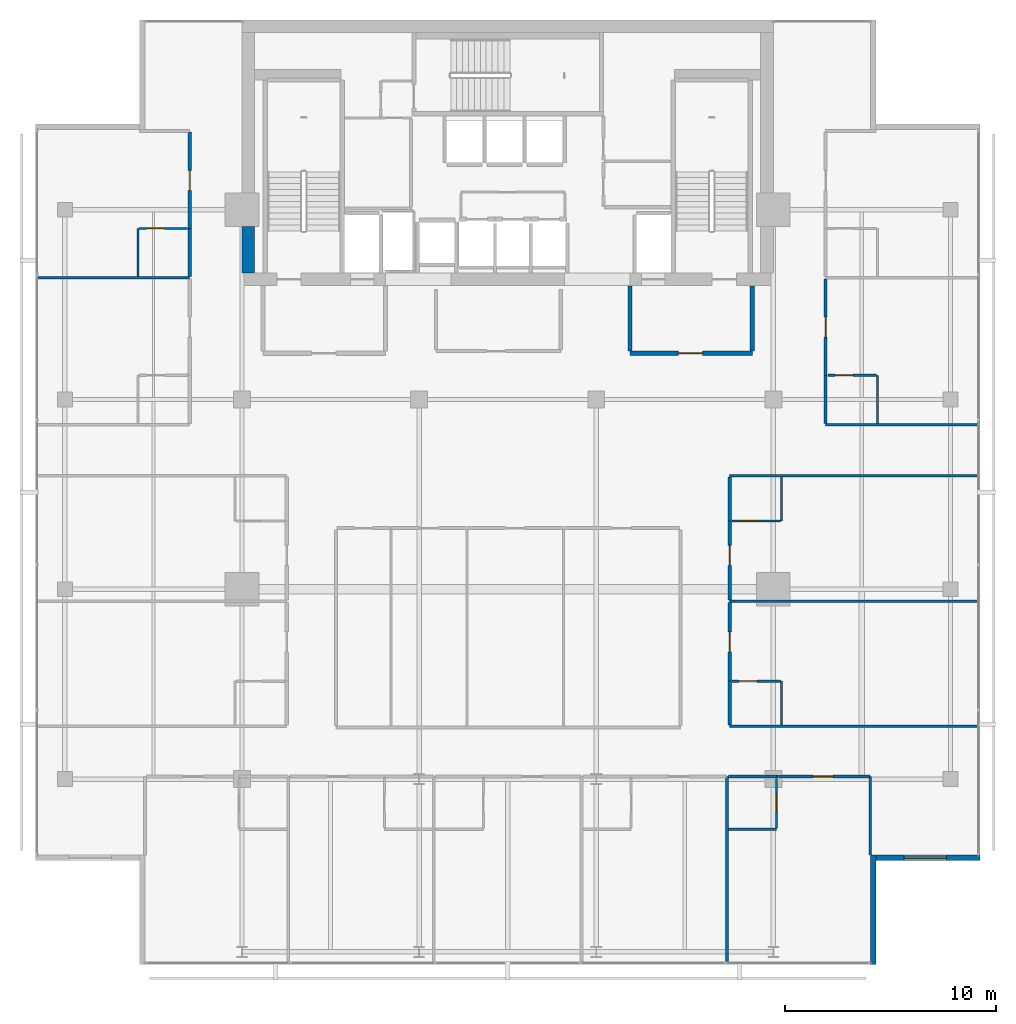
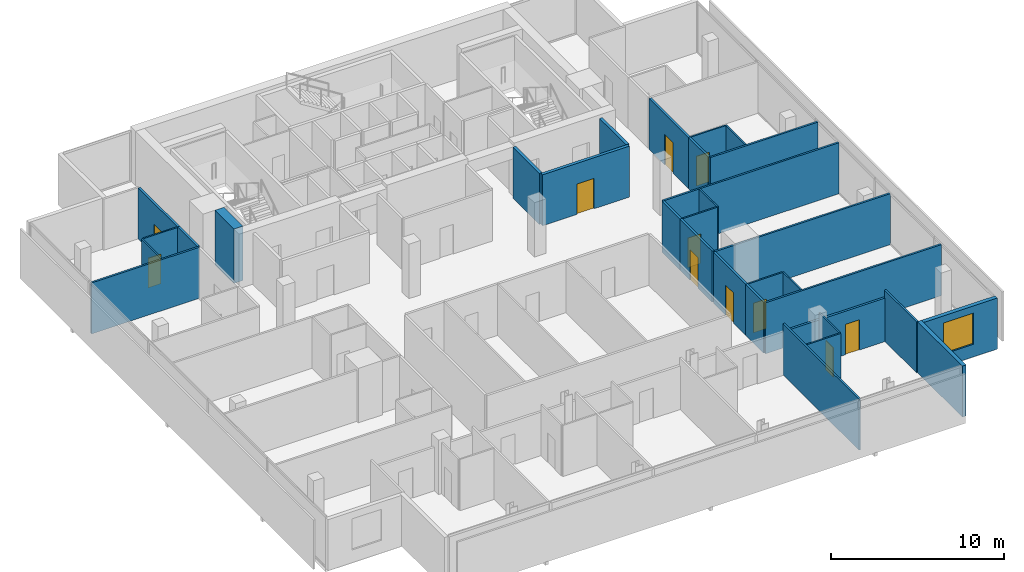
# One storey, part 21 of 25: 33 walls, 11 doors, 1 window, 12 openings.
"""IFC4 building model written with IfcOpenShell, lengths in metres."""

from ifc_helpers import new_model, si_unit, direction, frame, frame_2d, origin, place, context, subcontext, project, spatial, rectangle, extrude, material, layer, layer_set, type_object, element, fill, save


model = new_model("IFC4")

# Units and contexts
model_context = context("Model", 3, precision=1e-05, world=origin(), true_north=direction((0.0, 1.0)))
body_context = subcontext(model_context, "Body", "Model", "MODEL_VIEW")
ifc_project = project(units=[si_unit("LENGTHUNIT", "METRE"), si_unit("AREAUNIT", "SQUARE_METRE"), si_unit("VOLUMEUNIT", "CUBIC_METRE"), si_unit("PLANEANGLEUNIT", "RADIAN"), si_unit("MASSUNIT", "GRAM", prefix="KILO")], contexts=[model_context])

# Site, building, storey
site_placement = place(None, origin())
site = spatial("IfcSite", under=ifc_project, at=site_placement, CompositionType="ELEMENT")
building_placement = place(site_placement, origin())
building = spatial("IfcBuilding", under=site, at=building_placement, Name="Maruvema Waterfront Hotel and Observation Tower", CompositionType="ELEMENT")
storey_placement = place(building_placement, frame((0.0, 0.0, 270.199951171875)))
storey = spatial("IfcBuildingStorey", under=building, at=storey_placement, Name="L66", CompositionType="ELEMENT", Elevation=270.199951171875)

# Wall
ifc_material_1 = material(Name="Twin-stud acoustic gypsum drywall", Category="gypsum")
ifc_layer_1 = layer(ifc_material_1, 0.14990234375, Name="Acoustic Corridor and Suite Demising Wall 150 mm")
ifc_layer_set_1 = layer_set([ifc_layer_1], Name="Twin-stud acoustic gypsum drywall")
wall_type_1 = type_object("IfcWallType", Name="Acoustic Corridor and Suite Demising Wall 150 mm", PredefinedType="PARTITIONING", material=ifc_layer_set_1)
wall_1_placement = place(storey_placement, frame((48.280029296875, 18.1201171875, 0.0), z_axis=(0.0, 0.0, 1.0), x_axis=(1.0, 0.0, 0.0)))
element("IfcWall", 1, at=wall_1_placement, inside=storey, type_object=wall_type_1, Name="L66 Bath L66-S5 Back Wall 057", PredefinedType="PARTITIONING", context=body_context, shape_type="SweptSolid", body=[
    extrude(rectangle(XDim=2.27001953125, YDim=0.14990234375, at=frame_2d((1.135009765625, 0.0))), origin(), (0.0, 0.0, 1.0), 3.0771484375),
])

# Wall, opening, door
wall_2_placement = place(storey_placement, frame((50.550048828125, 18.1201171875, 0.0), z_axis=(0.0, 0.0, 1.0), x_axis=(1.0, 0.0, 0.0)))
wall_2 = element("IfcWall", 2, at=wall_2_placement, inside=storey, type_object=wall_type_1, Name="L66 Unit L66-S5 Corridor Wall 060", PredefinedType="PARTITIONING", context=body_context, shape_type="SweptSolid", body=[
    extrude(rectangle(XDim=4.429931640625, YDim=0.14990234375, at=frame_2d((2.21484375, 0.0))), origin(), (0.0, 0.0, 1.0), 3.0771484375),
])
opening_1_placement = place(wall_2_placement, frame((1.739990234375, 0.0, 0.0)))
opening_1 = element("IfcOpeningElement", 3, at=opening_1_placement, cuts=wall_2, Name="Opening DR-095", PredefinedType="OPENING", context=body_context, shape_type="SweptSolid", body=[
    extrude(rectangle(XDim=0.949951171875, YDim=2.14990234375, at=frame_2d((0.47509765625, 1.074951171875))), frame((0.0, 0.0849609375, 0.0), z_axis=(0.0, -1.0, 0.0), x_axis=(1.0, 0.0, 0.0)), (0.0, 0.0, 1.0), 0.169921875),
])
ifc_material_2 = material(Name="Acoustic solid-core hardwood timber leaf", Category="wood")
door_type_1 = type_object("IfcDoorType", Name="Guestroom Entrance Fire Door 950x2150 mm", OperationType="NOTDEFINED", PredefinedType="DOOR", material=ifc_material_2)
door_1_placement = place(opening_1_placement, frame((0.949951171875, 0.0, 0.0), z_axis=(0.0, 0.0, 1.0), x_axis=(-1.0, 0.0, 0.0)))
door_1 = element("IfcDoor", 4, at=door_1_placement, inside=storey, type_object=door_type_1, Name="L66 Unit L66-S5 Entrance Door", OperationType="SINGLE_SWING_LEFT", OverallHeight=2.14990234375, OverallWidth=0.949951171875, PredefinedType="DOOR", context=body_context, shape_type="SweptSolid", body=[
    extrude(rectangle(XDim=0.949951171875, YDim=2.14990234375, at=frame_2d((0.47509765625, 1.074951171875))), frame((0.0, 0.02490234375, 0.0), z_axis=(0.0, -1.0, 0.0), x_axis=(1.0, 0.0, 0.0)), (0.0, 0.0, 1.0), 0.050048828125),
])
fill(opening_1, door_1)

# Wall
wall_3_placement = place(storey_placement, frame((48.330078125, 20.56005859375, 0.0), z_axis=(0.0, 0.0, 1.0), x_axis=(0.0, 1.0, 0.0)))
element("IfcWall", 5, at=wall_3_placement, inside=storey, type_object=wall_type_1, Name="L66 Bath L66-E1 Wall 069", PredefinedType="PARTITIONING", context=body_context, shape_type="SweptSolid", body=[
    extrude(rectangle(XDim=2.079833984375, YDim=0.14990234375, at=frame_2d((1.0400390625, 0.0))), origin(), (0.0, 0.0, 1.0), 3.610107421875),
])

# Wall, opening, door
wall_4_placement = place(storey_placement, frame((48.330078125, 22.639892578125, 0.0), z_axis=(0.0, 0.0, 1.0), x_axis=(0.0, 1.0, 0.0)))
wall_4 = element("IfcWall", 6, at=wall_4_placement, inside=storey, type_object=wall_type_1, Name="L66 Room L66-E1 Corridor Wall 070", PredefinedType="PARTITIONING", context=body_context, shape_type="SweptSolid", body=[
    extrude(rectangle(XDim=3.739990234375, YDim=0.14990234375, at=frame_2d((1.8701171875, 0.0))), origin(), (0.0, 0.0, 1.0), 3.610107421875),
])
opening_2_placement = place(wall_4_placement, frame((1.39501953125, 0.0, 0.0)))
opening_2 = element("IfcOpeningElement", 7, at=opening_2_placement, cuts=wall_4, Name="Opening DR-095", PredefinedType="OPENING", context=body_context, shape_type="SweptSolid", body=[
    extrude(rectangle(XDim=0.949951171875, YDim=2.14990234375, at=frame_2d((0.47509765625, 1.074951171875))), frame((0.0, 0.0849609375, 0.0), z_axis=(0.0, -1.0, 0.0), x_axis=(1.0, 0.0, 0.0)), (0.0, 0.0, 1.0), 0.169921875),
])
door_2_placement = place(opening_2_placement, frame((0.949951171875, 0.0, 0.0), z_axis=(0.0, 0.0, 1.0), x_axis=(-1.0, 0.0, 0.0)))
door_2 = element("IfcDoor", 8, at=door_2_placement, inside=storey, type_object=door_type_1, Name="L66 Room L66-E1 Entrance Door", OperationType="SINGLE_SWING_LEFT", OverallHeight=2.14990234375, OverallWidth=0.949951171875, PredefinedType="DOOR", context=body_context, shape_type="SweptSolid", body=[
    extrude(rectangle(XDim=0.949951171875, YDim=2.14990234375, at=frame_2d((0.47509765625, 1.074951171875))), frame((0.0, 0.02490234375, 0.0), z_axis=(0.0, -1.0, 0.0), x_axis=(1.0, 0.0, 0.0)), (0.0, 0.0, 1.0), 0.050048828125),
])
fill(opening_2, door_2)

wall_5_placement = place(storey_placement, frame((48.330078125, 26.5, 0.0), z_axis=(0.0, 0.0, 1.0), x_axis=(0.0, 1.0, 0.0)))
wall_5 = element("IfcWall", 9, at=wall_5_placement, inside=storey, type_object=wall_type_1, Name="L66 Room L66-E2 Corridor Wall 079", PredefinedType="PARTITIONING", context=body_context, shape_type="SweptSolid", body=[
    extrude(rectangle(XDim=3.739990234375, YDim=0.14990234375, at=frame_2d((1.8701171875, 0.0))), origin(), (0.0, 0.0, 1.0), 3.610107421875),
])
opening_3_placement = place(wall_5_placement, frame((1.635009765625, 0.0, 0.0)))
opening_3 = element("IfcOpeningElement", 10, at=opening_3_placement, cuts=wall_5, Name="Opening DR-095", PredefinedType="OPENING", context=body_context, shape_type="SweptSolid", body=[
    extrude(rectangle(XDim=0.949951171875, YDim=2.14990234375, at=frame_2d((0.47509765625, 1.074951171875))), frame((0.0, 0.0849609375, 0.0), z_axis=(0.0, -1.0, 0.0), x_axis=(1.0, 0.0, 0.0)), (0.0, 0.0, 1.0), 0.169921875),
])
door_3_placement = place(opening_3_placement, frame((0.949951171875, 0.0, 0.0), z_axis=(0.0, 0.0, 1.0), x_axis=(-1.0, 0.0, 0.0)))
door_3 = element("IfcDoor", 11, at=door_3_placement, inside=storey, type_object=door_type_1, Name="L66 Room L66-E2 Entrance Door", OperationType="SINGLE_SWING_LEFT", OverallHeight=2.14990234375, OverallWidth=0.949951171875, PredefinedType="DOOR", context=body_context, shape_type="SweptSolid", body=[
    extrude(rectangle(XDim=0.949951171875, YDim=2.14990234375, at=frame_2d((0.47509765625, 1.074951171875))), frame((0.0, 0.02490234375, 0.0), z_axis=(0.0, -1.0, 0.0), x_axis=(1.0, 0.0, 0.0)), (0.0, 0.0, 1.0), 0.050048828125),
])
fill(opening_3, door_3)

# Walls
wall_6_placement = place(storey_placement, frame((48.330078125, 30.239990234375, 0.0), z_axis=(0.0, 0.0, 1.0), x_axis=(0.0, 1.0, 0.0)))
element("IfcWall", 12, at=wall_6_placement, inside=storey, type_object=wall_type_1, Name="L66 Bath L66-E2 Wall 080", PredefinedType="PARTITIONING", context=body_context, shape_type="SweptSolid", body=[
    extrude(rectangle(XDim=2.080078125, YDim=0.14990234375, at=frame_2d((1.0400390625, 0.0))), origin(), (0.0, 0.0, 1.0), 3.610107421875),
])
wall_7_placement = place(storey_placement, frame((52.8798828125, 34.860107421875, 0.0), z_axis=(0.0, 0.0, 1.0), x_axis=(0.0, 1.0, 0.0)))
element("IfcWall", 13, at=wall_7_placement, inside=storey, type_object=wall_type_1, Name="L66 Bath L66-NE1 Wall 091", PredefinedType="PARTITIONING", context=body_context, shape_type="SweptSolid", body=[
    extrude(rectangle(XDim=2.289794921875, YDim=0.14990234375, at=frame_2d((1.14501953125, 0.0))), origin(), (0.0, 0.0, 1.0), 3.610107421875),
])

# Wall, opening, door
wall_8_placement = place(storey_placement, frame((52.8798828125, 37.14990234375, 0.0), z_axis=(0.0, 0.0, 1.0), x_axis=(0.0, 1.0, 0.0)))
wall_8 = element("IfcWall", 14, at=wall_8_placement, inside=storey, type_object=wall_type_1, Name="L66 Room L66-NE1 Corridor Wall 092", PredefinedType="PARTITIONING", context=body_context, shape_type="SweptSolid", body=[
    extrude(rectangle(XDim=4.558837890625, YDim=0.14990234375, at=frame_2d((2.279296875, 0.0))), origin(), (0.0, 0.0, 1.0), 3.610107421875),
])
opening_4_placement = place(wall_8_placement, frame((1.804443359375, 0.0, 0.0)))
opening_4 = element("IfcOpeningElement", 15, at=opening_4_placement, cuts=wall_8, Name="Opening DR-095", PredefinedType="OPENING", context=body_context, shape_type="SweptSolid", body=[
    extrude(rectangle(XDim=0.949951171875, YDim=2.14990234375, at=frame_2d((0.47509765625, 1.074951171875))), frame((0.0, 0.0849609375, 0.0), z_axis=(0.0, -1.0, 0.0), x_axis=(1.0, 0.0, 0.0)), (0.0, 0.0, 1.0), 0.169921875),
])
door_4_placement = place(opening_4_placement, frame((0.949951171875, 0.0, 0.0), z_axis=(0.0, 0.0, 1.0), x_axis=(-1.0, 0.0, 0.0)))
door_4 = element("IfcDoor", 16, at=door_4_placement, inside=storey, type_object=door_type_1, Name="L66 Room L66-NE1 Entrance Door", OperationType="SINGLE_SWING_LEFT", OverallHeight=2.14990234375, OverallWidth=0.949951171875, PredefinedType="DOOR", context=body_context, shape_type="SweptSolid", body=[
    extrude(rectangle(XDim=0.949951171875, YDim=2.14990234375, at=frame_2d((0.47509765625, 1.074951171875))), frame((0.0, 0.02490234375, 0.0), z_axis=(0.0, -1.0, 0.0), x_axis=(1.0, 0.0, 0.0)), (0.0, 0.0, 1.0), 0.050048828125),
])
fill(opening_4, door_4)

# Wall
wall_9_placement = place(storey_placement, frame((22.719970703125, 41.82861328125, 0.0), z_axis=(0.0, 0.0, 1.0), x_axis=(0.0, 1.0, 0.0)))
element("IfcWall", 17, at=wall_9_placement, inside=storey, type_object=wall_type_1, Name="L66 Bath L66-NW2 Wall 097", PredefinedType="PARTITIONING", context=body_context, shape_type="SweptSolid", body=[
    extrude(rectangle(XDim=2.2900390625, YDim=0.14990234375, at=frame_2d((1.14501953125, 0.0))), origin(), (0.0, 0.0, 1.0), 3.610107421875),
])

# Wall, opening, door
wall_10_placement = place(storey_placement, frame((22.719970703125, 44.11865234375, 0.0), z_axis=(0.0, 0.0, 1.0), x_axis=(0.0, 1.0, 0.0)))
wall_10 = element("IfcWall", 18, at=wall_10_placement, inside=storey, type_object=wall_type_1, Name="L66 Room L66-NW2 Corridor Wall 098", PredefinedType="PARTITIONING", context=body_context, shape_type="SweptSolid", body=[
    extrude(rectangle(XDim=4.558837890625, YDim=0.14990234375, at=frame_2d((2.279296875, 0.0))), origin(), (0.0, 0.0, 1.0), 3.610107421875),
])
opening_5_placement = place(wall_10_placement, frame((1.804443359375, 0.0, 0.0)))
opening_5 = element("IfcOpeningElement", 19, at=opening_5_placement, cuts=wall_10, Name="Opening DR-095", PredefinedType="OPENING", context=body_context, shape_type="SweptSolid", body=[
    extrude(rectangle(XDim=0.949951171875, YDim=2.14990234375, at=frame_2d((0.47509765625, 1.074951171875))), frame((0.0, 0.0849609375, 0.0), z_axis=(0.0, -1.0, 0.0), x_axis=(1.0, 0.0, 0.0)), (0.0, 0.0, 1.0), 0.169921875),
])
door_5_placement = place(opening_5_placement, origin())
door_5 = element("IfcDoor", 20, at=door_5_placement, inside=storey, type_object=door_type_1, Name="L66 Room L66-NW2 Entrance Door", OperationType="SINGLE_SWING_LEFT", OverallHeight=2.14990234375, OverallWidth=0.949951171875, PredefinedType="DOOR", context=body_context, shape_type="SweptSolid", body=[
    extrude(rectangle(XDim=0.949951171875, YDim=2.14990234375, at=frame_2d((0.47509765625, 1.074951171875))), frame((0.0, 0.02490234375, 0.0), z_axis=(0.0, -1.0, 0.0), x_axis=(1.0, 0.0, 0.0)), (0.0, 0.0, 1.0), 0.050048828125),
])
fill(opening_5, door_5)

# Walls
ifc_material_3 = material(Name="Concrete C60/75", Category="concrete")
ifc_layer_2 = layer(ifc_material_3, 0.60009765625, Name="Core Shear Wall 600 mm")
ifc_layer_set_2 = layer_set([ifc_layer_2], Name="Concrete C60/75")
wall_type_2 = type_object("IfcWallType", Name="Core Shear Wall 600 mm", PredefinedType="SHEAR", material=ifc_layer_set_2)
wall_11_placement = place(storey_placement, frame((25.5, 42.0, 0.0), z_axis=(0.0, 0.0, 1.0), x_axis=(0.0, 1.0, 0.0)))
element("IfcWall", 21, at=wall_11_placement, inside=storey, type_object=wall_type_2, Name="L66 West-South Core Shear Wall", PredefinedType="SHEAR", context=body_context, shape_type="SweptSolid", body=[
    extrude(rectangle(XDim=2.199951171875, YDim=0.60009765625, at=frame_2d((1.10009765625, 0.0))), origin(), (0.0, 0.0, 1.0), 3.85009765625),
])
ifc_material_4 = material(Name="Moisture-resistant cement-board drywall", Category="gypsum")
ifc_layer_3 = layer(ifc_material_4, 0.10009765625, Name="En-Suite Moisture-Resistant Partition 100 mm")
ifc_layer_set_3 = layer_set([ifc_layer_3], Name="Moisture-resistant cement-board drywall")
wall_type_3 = type_object("IfcWallType", Name="En-Suite Moisture-Resistant Partition 100 mm", PredefinedType="PARTITIONING", material=ifc_layer_set_3)
wall_12_placement = place(storey_placement, frame((48.280029296875, 15.6201171875, 0.0), z_axis=(0.0, 0.0, 1.0), x_axis=(1.0, 0.0, 0.0)))
element("IfcWall", 22, at=wall_12_placement, inside=storey, type_object=wall_type_3, Name="L66 En-Suite L66-S5 South 058", PredefinedType="PARTITIONING", context=body_context, shape_type="SweptSolid", body=[
    extrude(rectangle(XDim=2.27001953125, YDim=0.10009765625, at=frame_2d((1.135009765625, 0.0))), origin(), (0.0, 0.0, 1.0), 3.610107421875),
])

# Wall, opening, door
wall_13_placement = place(storey_placement, frame((50.550048828125, 15.679931640625, 0.0), z_axis=(0.0, 0.0, 1.0), x_axis=(0.0, 1.0, 0.0)))
wall_13 = element("IfcWall", 23, at=wall_13_placement, inside=storey, type_object=wall_type_3, Name="L66 En-Suite L66-S5 East 059", PredefinedType="PARTITIONING", context=body_context, shape_type="SweptSolid", body=[
    extrude(rectangle(XDim=2.340087890625, YDim=0.10009765625, at=frame_2d((1.169921875, 0.0))), origin(), (0.0, 0.0, 1.0), 3.610107421875),
])
opening_6_placement = place(wall_13_placement, frame((0.7451171875, 0.0, 0.0)))
opening_6 = element("IfcOpeningElement", 24, at=opening_6_placement, cuts=wall_13, Name="Opening DR-085", PredefinedType="OPENING", context=body_context, shape_type="SweptSolid", body=[
    extrude(rectangle(XDim=0.85009765625, YDim=2.10009765625, at=frame_2d((0.425048828125, 1.050048828125))), frame((0.0, 0.06005859375, 0.0), z_axis=(0.0, -1.0, 0.0), x_axis=(1.0, 0.0, 0.0)), (0.0, 0.0, 1.0), 0.1201171875),
])
ifc_material_5 = material(Name="Moisture-resistant solid timber leaf", Category="wood")
door_type_2 = type_object("IfcDoorType", Name="En-Suite Bathroom Door 850x2100 mm", OperationType="NOTDEFINED", PredefinedType="DOOR", material=ifc_material_5)
door_6_placement = place(opening_6_placement, frame((0.85009765625, 0.0, 0.0), z_axis=(0.0, 0.0, 1.0), x_axis=(-1.0, 0.0, 0.0)))
door_6 = element("IfcDoor", 25, at=door_6_placement, inside=storey, type_object=door_type_2, Name="L66 En-Suite L66-S5 Door", OperationType="SINGLE_SWING_RIGHT", OverallHeight=2.10009765625, OverallWidth=0.85009765625, PredefinedType="DOOR", context=body_context, shape_type="SweptSolid", body=[
    extrude(rectangle(XDim=0.85009765625, YDim=2.10009765625, at=frame_2d((0.425048828125, 1.050048828125))), frame((0.0, 0.02490234375, 0.0), z_axis=(0.0, -1.0, 0.0), x_axis=(1.0, 0.0, 0.0)), (0.0, 0.0, 1.0), 0.050048828125),
])
fill(opening_6, door_6)

# Wall
wall_14_placement = place(storey_placement, frame((50.780029296875, 20.56005859375, 0.0), z_axis=(0.0, 0.0, 1.0), x_axis=(0.0, 1.0, 0.0)))
element("IfcWall", 26, at=wall_14_placement, inside=storey, type_object=wall_type_3, Name="L66 En-Suite L66-E1 E 071", PredefinedType="PARTITIONING", context=body_context, shape_type="SweptSolid", body=[
    extrude(rectangle(XDim=2.079833984375, YDim=0.10009765625, at=frame_2d((1.0400390625, 0.0))), origin(), (0.0, 0.0, 1.0), 3.610107421875),
])

# Wall, opening, door
wall_15_placement = place(storey_placement, frame((48.429931640625, 22.639892578125, 0.0), z_axis=(0.0, 0.0, 1.0), x_axis=(1.0, 0.0, 0.0)))
wall_15 = element("IfcWall", 27, at=wall_15_placement, inside=storey, type_object=wall_type_3, Name="L66 En-Suite L66-E1 N 072", PredefinedType="PARTITIONING", context=body_context, shape_type="SweptSolid", body=[
    extrude(rectangle(XDim=2.300048828125, YDim=0.10009765625, at=frame_2d((1.14990234375, 0.0))), origin(), (0.0, 0.0, 1.0), 3.610107421875),
])
opening_7_placement = place(wall_15_placement, frame((0.35009765625, 0.0, 0.0)))
opening_7 = element("IfcOpeningElement", 28, at=opening_7_placement, cuts=wall_15, Name="Opening DR-085", PredefinedType="OPENING", context=body_context, shape_type="SweptSolid", body=[
    extrude(rectangle(XDim=0.85009765625, YDim=2.10009765625, at=frame_2d((0.425048828125, 1.050048828125))), frame((0.0, 0.06005859375, 0.0), z_axis=(0.0, -1.0, 0.0), x_axis=(1.0, 0.0, 0.0)), (0.0, 0.0, 1.0), 0.1201171875),
])
door_7_placement = place(opening_7_placement, origin())
door_7 = element("IfcDoor", 29, at=door_7_placement, inside=storey, type_object=door_type_2, Name="L66 En-Suite L66-E1 Door", OperationType="SINGLE_SWING_RIGHT", OverallHeight=2.10009765625, OverallWidth=0.85009765625, PredefinedType="DOOR", context=body_context, shape_type="SweptSolid", body=[
    extrude(rectangle(XDim=0.85009765625, YDim=2.10009765625, at=frame_2d((0.425048828125, 1.050048828125))), frame((0.0, 0.02490234375, 0.0), z_axis=(0.0, -1.0, 0.0), x_axis=(1.0, 0.0, 0.0)), (0.0, 0.0, 1.0), 0.050048828125),
])
fill(opening_7, door_7)

# Wall
wall_16_placement = place(storey_placement, frame((50.780029296875, 30.239990234375, 0.0), z_axis=(0.0, 0.0, 1.0), x_axis=(0.0, 1.0, 0.0)))
element("IfcWall", 30, at=wall_16_placement, inside=storey, type_object=wall_type_3, Name="L66 En-Suite L66-E2 E 081", PredefinedType="PARTITIONING", context=body_context, shape_type="SweptSolid", body=[
    extrude(rectangle(XDim=2.080078125, YDim=0.10009765625, at=frame_2d((1.0400390625, 0.0))), origin(), (0.0, 0.0, 1.0), 3.610107421875),
])

# Wall, opening, door
wall_17_placement = place(storey_placement, frame((48.429931640625, 30.239990234375, 0.0), z_axis=(0.0, 0.0, 1.0), x_axis=(1.0, 0.0, 0.0)))
wall_17 = element("IfcWall", 31, at=wall_17_placement, inside=storey, type_object=wall_type_3, Name="L66 En-Suite L66-E2 S 082", PredefinedType="PARTITIONING", context=body_context, shape_type="SweptSolid", body=[
    extrude(rectangle(XDim=2.300048828125, YDim=0.10009765625, at=frame_2d((1.14990234375, 0.0))), origin(), (0.0, 0.0, 1.0), 3.610107421875),
])
opening_8_placement = place(wall_17_placement, frame((0.35009765625, 0.0, 0.0)))
opening_8 = element("IfcOpeningElement", 32, at=opening_8_placement, cuts=wall_17, Name="Opening DR-085", PredefinedType="OPENING", context=body_context, shape_type="SweptSolid", body=[
    extrude(rectangle(XDim=0.85009765625, YDim=2.10009765625, at=frame_2d((0.425048828125, 1.050048828125))), frame((0.0, 0.06005859375, 0.0), z_axis=(0.0, -1.0, 0.0), x_axis=(1.0, 0.0, 0.0)), (0.0, 0.0, 1.0), 0.1201171875),
])
door_8_placement = place(opening_8_placement, frame((0.85009765625, 0.0, 0.0), z_axis=(0.0, 0.0, 1.0), x_axis=(-1.0, 0.0, 0.0)))
door_8 = element("IfcDoor", 33, at=door_8_placement, inside=storey, type_object=door_type_2, Name="L66 En-Suite L66-E2 Door", OperationType="SINGLE_SWING_RIGHT", OverallHeight=2.10009765625, OverallWidth=0.85009765625, PredefinedType="DOOR", context=body_context, shape_type="SweptSolid", body=[
    extrude(rectangle(XDim=0.85009765625, YDim=2.10009765625, at=frame_2d((0.425048828125, 1.050048828125))), frame((0.0, 0.02490234375, 0.0), z_axis=(0.0, -1.0, 0.0), x_axis=(1.0, 0.0, 0.0)), (0.0, 0.0, 1.0), 0.050048828125),
])
fill(opening_8, door_8)

# Wall
wall_18_placement = place(storey_placement, frame((55.330078125, 34.860107421875, 0.0), z_axis=(0.0, 0.0, 1.0), x_axis=(0.0, 1.0, 0.0)))
element("IfcWall", 34, at=wall_18_placement, inside=storey, type_object=wall_type_3, Name="L66 En-Suite L66-NE1 E 093", PredefinedType="PARTITIONING", context=body_context, shape_type="SweptSolid", body=[
    extrude(rectangle(XDim=2.289794921875, YDim=0.10009765625, at=frame_2d((1.14501953125, 0.0))), origin(), (0.0, 0.0, 1.0), 3.610107421875),
])

# Wall, opening, door
wall_19_placement = place(storey_placement, frame((52.97998046875, 37.14990234375, 0.0), z_axis=(0.0, 0.0, 1.0), x_axis=(1.0, 0.0, 0.0)))
wall_19 = element("IfcWall", 35, at=wall_19_placement, inside=storey, type_object=wall_type_3, Name="L66 En-Suite L66-NE1 N 094", PredefinedType="PARTITIONING", context=body_context, shape_type="SweptSolid", body=[
    extrude(rectangle(XDim=2.300048828125, YDim=0.10009765625, at=frame_2d((1.14990234375, 0.0))), origin(), (0.0, 0.0, 1.0), 3.610107421875),
])
opening_9_placement = place(wall_19_placement, frame((0.35009765625, 0.0, 0.0)))
opening_9 = element("IfcOpeningElement", 36, at=opening_9_placement, cuts=wall_19, Name="Opening DR-085", PredefinedType="OPENING", context=body_context, shape_type="SweptSolid", body=[
    extrude(rectangle(XDim=0.85009765625, YDim=2.10009765625, at=frame_2d((0.425048828125, 1.050048828125))), frame((0.0, 0.06005859375, 0.0), z_axis=(0.0, -1.0, 0.0), x_axis=(1.0, 0.0, 0.0)), (0.0, 0.0, 1.0), 0.1201171875),
])
door_9_placement = place(opening_9_placement, origin())
door_9 = element("IfcDoor", 37, at=door_9_placement, inside=storey, type_object=door_type_2, Name="L66 En-Suite L66-NE1 Door", OperationType="SINGLE_SWING_RIGHT", OverallHeight=2.10009765625, OverallWidth=0.85009765625, PredefinedType="DOOR", context=body_context, shape_type="SweptSolid", body=[
    extrude(rectangle(XDim=0.85009765625, YDim=2.10009765625, at=frame_2d((0.425048828125, 1.050048828125))), frame((0.0, 0.02490234375, 0.0), z_axis=(0.0, -1.0, 0.0), x_axis=(1.0, 0.0, 0.0)), (0.0, 0.0, 1.0), 0.050048828125),
])
fill(opening_9, door_9)

# Wall
wall_20_placement = place(storey_placement, frame((20.27001953125, 41.82861328125, 0.0), z_axis=(0.0, 0.0, 1.0), x_axis=(0.0, 1.0, 0.0)))
element("IfcWall", 38, at=wall_20_placement, inside=storey, type_object=wall_type_3, Name="L66 En-Suite L66-NW2 W 099", PredefinedType="PARTITIONING", context=body_context, shape_type="SweptSolid", body=[
    extrude(rectangle(XDim=2.2900390625, YDim=0.10009765625, at=frame_2d((1.14501953125, 0.0))), origin(), (0.0, 0.0, 1.0), 3.610107421875),
])

# Wall, opening, door
wall_21_placement = place(storey_placement, frame((20.320068359375, 44.11865234375, 0.0), z_axis=(0.0, 0.0, 1.0), x_axis=(1.0, 0.0, 0.0)))
wall_21 = element("IfcWall", 39, at=wall_21_placement, inside=storey, type_object=wall_type_3, Name="L66 En-Suite L66-NW2 N 100", PredefinedType="PARTITIONING", context=body_context, shape_type="SweptSolid", body=[
    extrude(rectangle(XDim=2.300048828125, YDim=0.10009765625, at=frame_2d((1.14990234375, 0.0))), origin(), (0.0, 0.0, 1.0), 3.610107421875),
])
opening_10_placement = place(wall_21_placement, frame((0.35009765625, 0.0, 0.0)))
opening_10 = element("IfcOpeningElement", 40, at=opening_10_placement, cuts=wall_21, Name="Opening DR-085", PredefinedType="OPENING", context=body_context, shape_type="SweptSolid", body=[
    extrude(rectangle(XDim=0.85009765625, YDim=2.10009765625, at=frame_2d((0.425048828125, 1.050048828125))), frame((0.0, 0.06005859375, 0.0), z_axis=(0.0, -1.0, 0.0), x_axis=(1.0, 0.0, 0.0)), (0.0, 0.0, 1.0), 0.1201171875),
])
door_10_placement = place(opening_10_placement, origin())
door_10 = element("IfcDoor", 41, at=door_10_placement, inside=storey, type_object=door_type_2, Name="L66 En-Suite L66-NW2 Door", OperationType="SINGLE_SWING_RIGHT", OverallHeight=2.10009765625, OverallWidth=0.85009765625, PredefinedType="DOOR", context=body_context, shape_type="SweptSolid", body=[
    extrude(rectangle(XDim=0.85009765625, YDim=2.10009765625, at=frame_2d((0.425048828125, 1.050048828125))), frame((0.0, 0.02490234375, 0.0), z_axis=(0.0, -1.0, 0.0), x_axis=(1.0, 0.0, 0.0)), (0.0, 0.0, 1.0), 0.050048828125),
])
fill(opening_10, door_10)

# Wall
ifc_material_6 = material(Name="Precast concrete C45/55 with honed Pernambuco granite facing", Category="masonry")
ifc_layer_4 = layer(ifc_material_6, 0.260009765625, Name="Exterior Granite Clad Spandrel and Pier Wall 260 mm")
ifc_layer_set_4 = layer_set([ifc_layer_4], Name="Precast concrete C45/55 with honed Pernambuco granite facing")
wall_type_4 = type_object("IfcWallType", Name="Exterior Granite Clad Spandrel and Pier Wall 260 mm", PredefinedType="SOLIDWALL", material=ifc_layer_set_4)
wall_22_placement = place(storey_placement, frame((55.1298828125, 14.39990234375, 0.0), z_axis=(0.0, 0.0, 1.0), x_axis=(0.0, -1.0, 0.0)))
element("IfcWall", 42, at=wall_22_placement, inside=storey, type_object=wall_type_4, Name="L66 Corner Notch Granite Pier Wall SE1", PredefinedType="SOLIDWALL", context=body_context, shape_type="SweptSolid", body=[
    extrude(rectangle(XDim=5.199951171875, YDim=0.260009765625, at=frame_2d((2.60009765625, 0.0))), origin(), (0.0, 0.0, 1.0), 3.610107421875),
])

# Wall, opening, window
wall_23_placement = place(storey_placement, frame((60.199951171875, 14.27001953125, 0.0), z_axis=(0.0, 0.0, 1.0), x_axis=(-1.0, 0.0, 0.0)))
wall_23 = element("IfcWall", 43, at=wall_23_placement, inside=storey, type_object=wall_type_4, Name="L66 Corner Notch Granite Pier Wall SE2", PredefinedType="SOLIDWALL", context=body_context, shape_type="SweptSolid", body=[
    extrude(rectangle(XDim=5.199951171875, YDim=0.260009765625, at=frame_2d((2.60009765625, 0.0))), origin(), (0.0, 0.0, 1.0), 3.610107421875),
])
opening_11_placement = place(wall_23_placement, frame((1.60009765625, 0.0, 0.89990234375)))
opening_11 = element("IfcOpeningElement", 44, at=opening_11_placement, cuts=wall_23, Name="Opening WN-03", PredefinedType="OPENING", context=body_context, shape_type="SweptSolid", body=[
    extrude(rectangle(XDim=2.0, YDim=2.199951171875, at=frame_2d((1.0, 1.10009765625))), frame((0.0, 0.14013671875, 0.0), z_axis=(0.0, -1.0, 0.0), x_axis=(1.0, 0.0, 0.0)), (0.0, 0.0, 1.0), 0.280029296875),
])
ifc_material_7 = material(Name="Anodised bronze aluminium frame with laminated low-E glass", Category="aluminium")
window_type = type_object("IfcWindowType", Name="Sky Suite Panoramic Notch Window 2000x2200 mm", PartitioningType="SINGLE_PANEL", PredefinedType="WINDOW", material=ifc_material_7)
window_placement = place(opening_11_placement, origin())
window = element("IfcWindow", 45, at=window_placement, inside=storey, type_object=window_type, Name="L66 Corner Notch Punched Window SE2", OverallHeight=2.199951171875, OverallWidth=2.0, PartitioningType="SINGLE_PANEL", PredefinedType="WINDOW", context=body_context, shape_type="SweptSolid", body=[
    extrude(rectangle(XDim=2.0, YDim=2.199951171875, at=frame_2d((1.0, 1.10009765625))), frame((0.0, 0.030029296875, 0.0), z_axis=(0.0, -1.0, 0.0), x_axis=(1.0, 0.0, 0.0)), (0.0, 0.0, 1.0), 0.06005859375),
])
fill(opening_11, window)

# Wall, opening, door
ifc_material_8 = material(Name="Autoclaved cellular concrete blockwork", Category="masonry")
ifc_layer_5 = layer(ifc_material_8, 0.199951171875, Name="Fire Compartment Masonry Wall 200 mm")
ifc_layer_set_5 = layer_set([ifc_layer_5], Name="Autoclaved cellular concrete blockwork")
wall_type_5 = type_object("IfcWallType", Name="Fire Compartment Masonry Wall 200 mm", PredefinedType="PARTITIONING", material=ifc_layer_set_5)
wall_24_placement = place(storey_placement, frame((43.60009765625, 38.199951171875, 0.0), z_axis=(0.0, 0.0, 1.0), x_axis=(1.0, 0.0, 0.0)))
wall_24 = element("IfcWall", 46, at=wall_24_placement, inside=storey, type_object=wall_type_5, Name="L66 FFL East South Wall 004", PredefinedType="PARTITIONING", context=body_context, shape_type="SweptSolid", body=[
    extrude(rectangle(XDim=5.7998046875, YDim=0.199951171875, at=frame_2d((2.89990234375, 0.0))), origin(), (0.0, 0.0, 1.0), 3.610107421875),
])
opening_12_placement = place(wall_24_placement, frame((2.300048828125, 0.0, 0.0)))
opening_12 = element("IfcOpeningElement", 47, at=opening_12_placement, cuts=wall_24, Name="Opening FD-115", PredefinedType="OPENING", context=body_context, shape_type="SweptSolid", body=[
    extrude(rectangle(XDim=1.14990234375, YDim=2.14990234375, at=frame_2d((0.574951171875, 1.074951171875))), frame((0.0, 0.10986328125, 0.0), z_axis=(0.0, -1.0, 0.0), x_axis=(1.0, 0.0, 0.0)), (0.0, 0.0, 1.0), 0.219970703125),
])
ifc_material_9 = material(Name="Fire-rated galvanised steel and vision glass", Category="steel")
door_type_3 = type_object("IfcDoorType", Name="Firefighting Lobby Fire Door 1150x2150 mm", OperationType="NOTDEFINED", PredefinedType="DOOR", material=ifc_material_9)
door_11_placement = place(opening_12_placement, frame((1.14990234375, 0.0, 0.0), z_axis=(0.0, 0.0, 1.0), x_axis=(-1.0, 0.0, 0.0)))
door_11 = element("IfcDoor", 48, at=door_11_placement, inside=storey, type_object=door_type_3, Name="L66 Firefighting Lobby East Door", OperationType="SINGLE_SWING_RIGHT", OverallHeight=2.14990234375, OverallWidth=1.14990234375, PredefinedType="DOOR", context=body_context, shape_type="SweptSolid", body=[
    extrude(rectangle(XDim=1.14990234375, YDim=2.14990234375, at=frame_2d((0.574951171875, 1.074951171875))), frame((0.0, 0.02490234375, 0.0), z_axis=(0.0, -1.0, 0.0), x_axis=(1.0, 0.0, 0.0)), (0.0, 0.0, 1.0), 0.050048828125),
])
fill(opening_12, door_11)

# Walls
for number, where, z_axis, x_axis, name in (
    (49, (43.60009765625, 38.31005859375, 0.0), (0.0, 0.0, 1.0), (0.0, 1.0, 0.0), "L66 FFL East West Wall 005"),
    (50, (49.39990234375, 38.31005859375, 0.0), (0.0, 0.0, 1.0), (0.0, 1.0, 0.0), "L66 FFL East East Wall 006"),
):
    element("IfcWall", number, at=place(storey_placement, frame(where, z_axis=z_axis, x_axis=x_axis)), inside=storey, type_object=wall_type_5, Name=name, PredefinedType="PARTITIONING", context=body_context, shape_type="SweptSolid", body=[
        extrude(rectangle(XDim=3.06982421875, YDim=0.199951171875, at=frame_2d((1.534912109375, 0.0))), origin(), (0.0, 0.0, 1.0), 3.610107421875),
    ])
ifc_material_10 = material(Name="Acoustic gypsum plasterboard drywall", Category="gypsum")
ifc_layer_6 = layer(ifc_material_10, 0.125, Name="Guestroom Acoustic Demising Wall 125 mm")
ifc_layer_set_6 = layer_set([ifc_layer_6], Name="Acoustic gypsum plasterboard drywall")
wall_type_6 = type_object("IfcWallType", Name="Guestroom Acoustic Demising Wall 125 mm", PredefinedType="PARTITIONING", material=ifc_layer_set_6)
wall_25_placement = place(storey_placement, frame((55.0, 14.39990234375, 0.0), z_axis=(0.0, 0.0, 1.0), x_axis=(0.0, 1.0, 0.0)))
element("IfcWall", 51, at=wall_25_placement, inside=storey, type_object=wall_type_6, Name="L66 Z3 S East End 036", PredefinedType="PARTITIONING", context=body_context, shape_type="SweptSolid", body=[
    extrude(rectangle(XDim=3.72021484375, YDim=0.125, at=frame_2d((1.860107421875, 0.0))), origin(), (0.0, 0.0, 1.0), 3.610107421875),
])
wall_26_placement = place(storey_placement, frame((48.199951171875, 9.300048828125, 0.0), z_axis=(0.0, 0.0, 1.0), x_axis=(0.0, 1.0, 0.0)))
element("IfcWall", 52, at=wall_26_placement, inside=storey, type_object=wall_type_6, Name="L66 Z3 S Demising 5 056", PredefinedType="PARTITIONING", context=body_context, shape_type="SweptSolid", body=[
    extrude(rectangle(XDim=8.820068359375, YDim=0.125, at=frame_2d((4.41015625, 0.0))), origin(), (0.0, 0.0, 1.0), 3.610107421875),
])
for number, where, z_axis, x_axis, name in (
    (53, (48.330078125, 20.5, 0.0), (0.0, 0.0, 1.0), (1.0, 0.0, 0.0), "L66 Z3 E Bot End 062"),
    (54, (48.330078125, 32.3798828125, 0.0), (0.0, 0.0, 1.0), (1.0, 0.0, 0.0), "L66 Z3 E Top End 064"),
    (55, (48.330078125, 26.43994140625, 0.0), (0.0, 0.0, 1.0), (1.0, 0.0, 0.0), "L66 Z3 E Demising 2 074"),
):
    element("IfcWall", number, at=place(storey_placement, frame(where, z_axis=z_axis, x_axis=x_axis)), inside=storey, type_object=wall_type_6, Name=name, PredefinedType="PARTITIONING", context=body_context, shape_type="SweptSolid", body=[
        extrude(rectangle(XDim=11.77001953125, YDim=0.125, at=frame_2d((5.885009765625, 0.0))), origin(), (0.0, 0.0, 1.0), 3.610107421875),
    ])
wall_27_placement = place(storey_placement, frame((52.8798828125, 34.800048828125, 0.0), z_axis=(0.0, 0.0, 1.0), x_axis=(1.0, 0.0, 0.0)))
element("IfcWall", 56, at=wall_27_placement, inside=storey, type_object=wall_type_6, Name="L66 Z3 NE Bot End 084", PredefinedType="PARTITIONING", context=body_context, shape_type="SweptSolid", body=[
    extrude(rectangle(XDim=7.22021484375, YDim=0.125, at=frame_2d((3.610107421875, 0.0))), origin(), (0.0, 0.0, 1.0), 3.610107421875),
])
wall_28_placement = place(storey_placement, frame((15.5, 41.768798828125, 0.0), z_axis=(0.0, 0.0, 1.0), x_axis=(1.0, 0.0, 0.0)))
element("IfcWall", 57, at=wall_28_placement, inside=storey, type_object=wall_type_6, Name="L66 Z3 NW Demising 2 095", PredefinedType="PARTITIONING", context=body_context, shape_type="SweptSolid", body=[
    extrude(rectangle(XDim=7.219970703125, YDim=0.125, at=frame_2d((3.60986328125, 0.0))), origin(), (0.0, 0.0, 1.0), 3.610107421875),
])

save(model, "model.ifc")
